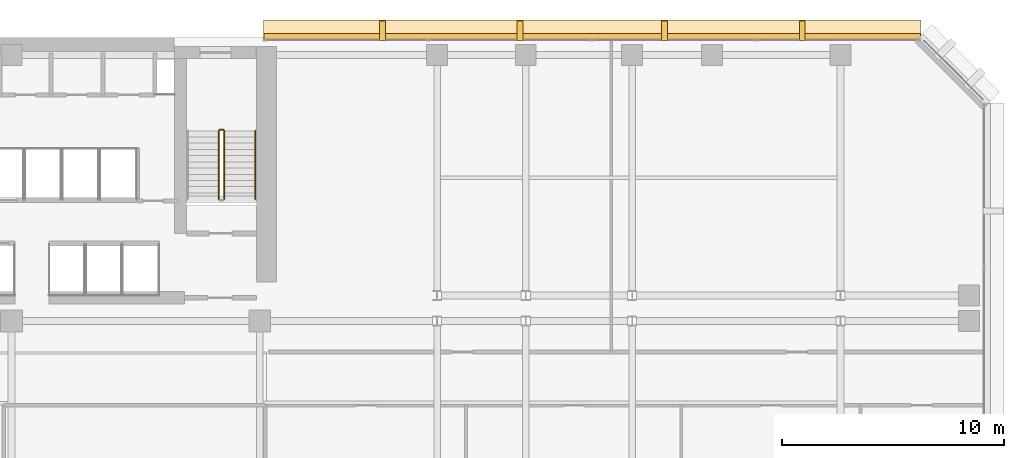
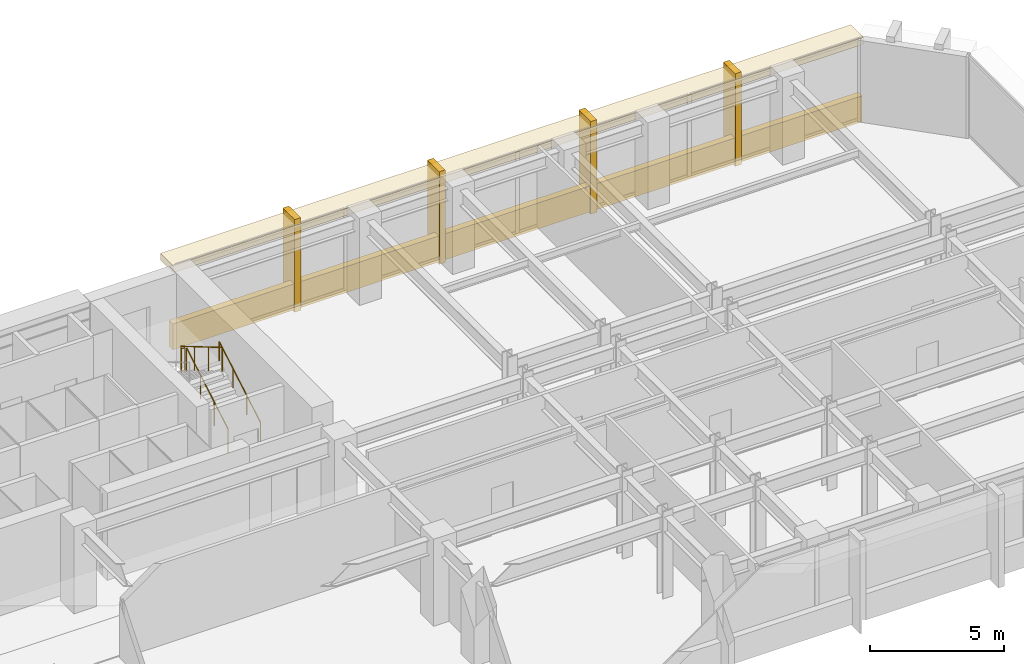
# One storey, part 12 of 13: 6 coverings, 4 railings.
"""IFC4 building model written with IfcOpenShell, lengths in metres."""

import ifcopenshell
import ifcopenshell.guid

model = None  # the IFC model being written
_history = None  # IfcOwnerHistory: only IFC2X3 demands one
_inside = {}  # id of a spatial element -> (the spatial element, [elements in it])
_under = {}  # id of a project, library or spatial element -> (it, [spatial elements below it])
_declared = {}  # id of a project -> (the project, [libraries it declares])
_typed = {}  # id of a type object -> (the type object, [elements of that type])
_made_of = {}  # id of a material, layer set ... -> (it, [elements and type objects made of it])


def new_model(schema):
    """Start an empty IFC model of exactly this schema.

    Asked for "IFC4X3", IfcOpenShell would pick the latest addendum, in which some entities
    have other attributes; the version numbers below select the first issue.
    IFC2X3 requires an IfcOwnerHistory on every rooted entity: one is made here for all.
    """
    global model, _history
    if schema == "IFC4X3":
        model = ifcopenshell.file(schema_version=(4, 3, 0, 0))
    else:
        model = ifcopenshell.file(schema=schema)
    _inside.clear()
    _under.clear()
    _declared.clear()
    _typed.clear()
    _made_of.clear()
    _history = None
    if model.schema == "IFC2X3":
        org = make("IfcOrganization", Name="unknown")
        user = make(
            "IfcPersonAndOrganization",
            ThePerson=make("IfcPerson", FamilyName="unknown"),
            TheOrganization=org,
        )
        app = make(
            "IfcApplication",
            ApplicationDeveloper=org,
            Version="unknown",
            ApplicationFullName="unknown",
            ApplicationIdentifier="unknown",
        )
        _history = make(
            "IfcOwnerHistory",
            OwningUser=user,
            OwningApplication=app,
            ChangeAction="ADDED",
            CreationDate=0,
        )
    return model


def make(cls, **values):
    """One entity of the class cls with the attributes given. An attribute that is None is left unset."""
    return model.create_entity(
        cls, **{name: value for name, value in values.items() if value is not None}
    )


def rooted(cls, **values):
    """An entity with a GlobalId (a new one), such as an element, a storey or a relation."""
    return make(cls, GlobalId=ifcopenshell.guid.new(), OwnerHistory=_history, **values)


def si_unit(unit_type, name, prefix=None):
    """IfcSIUnit, for example si_unit("LENGTHUNIT", "METRE", prefix="MILLI")."""
    return make("IfcSIUnit", UnitType=unit_type, Prefix=prefix, Name=name)


def assignment(units):
    """IfcUnitAssignment: the units of a project."""
    return None if units is None else make("IfcUnitAssignment", Units=units)


def point(xyz):
    """IfcCartesianPoint."""
    return None if xyz is None else make("IfcCartesianPoint", Coordinates=xyz)


def direction(xyz):
    """IfcDirection."""
    return None if xyz is None else make("IfcDirection", DirectionRatios=xyz)


def frame(location, z_axis=None, x_axis=None):
    """IfcAxis2Placement3D, a coordinate frame: its origin and axes. An axis left out is left unset."""
    return make(
        "IfcAxis2Placement3D",
        Location=point(location),
        Axis=direction(z_axis),
        RefDirection=direction(x_axis),
    )


def frame_2d(location, x_axis=None):
    """IfcAxis2Placement2D, a coordinate frame in the plane: its origin and x axis."""
    return make(
        "IfcAxis2Placement2D", Location=point(location), RefDirection=direction(x_axis)
    )


def origin():
    """The frame at (0, 0, 0) with its axes left unset."""
    return frame((0.0, 0.0, 0.0))


def origin_2d():
    """The frame at (0, 0) in the plane with its x axis left unset."""
    return frame_2d((0.0, 0.0))


def place(relative_to, where):
    """IfcLocalPlacement: puts the frame where relative to a parent placement (None: the world)."""
    return make(
        "IfcLocalPlacement", PlacementRelTo=relative_to, RelativePlacement=where
    )


def context(
    kind, dimensions, precision=None, world=None, true_north=None, identifier=None
):
    """IfcGeometricRepresentationContext, for example the 3D "Model" context."""
    return make(
        "IfcGeometricRepresentationContext",
        ContextIdentifier=identifier,
        ContextType=kind,
        CoordinateSpaceDimension=dimensions,
        Precision=precision,
        WorldCoordinateSystem=world,
        TrueNorth=true_north,
    )


def subcontext(parent, identifier, kind, view, scale=None):
    """IfcGeometricRepresentationSubContext, for example "Body" below "Model"."""
    return make(
        "IfcGeometricRepresentationSubContext",
        ContextIdentifier=identifier,
        ContextType=kind,
        ParentContext=parent,
        TargetScale=scale,
        TargetView=view,
    )


def project(units=None, contexts=None):
    """IfcProject with its units and contexts."""
    return rooted(
        "IfcProject",
        Name="project",
        RepresentationContexts=contexts,
        UnitsInContext=assignment(units),
    )


def spatial(cls, under=None, at=None, **own):
    """A site, building, storey or space (cls), placed at a placement, below another one or the project."""
    s = rooted(cls, ObjectPlacement=at, **own)
    if under is not None:
        _under.setdefault(under.id(), (under, []))[1].append(s)
    return s


def profile(cls, at=None, kind="AREA", **sizes):
    """A parametric profile (cls). Its sizes go by their IFC names, for example OverallWidth=200.0."""
    return make(cls, ProfileType=kind, Position=at, **sizes)


def rectangle(**sizes):
    """IfcRectangleProfileDef."""
    return profile("IfcRectangleProfileDef", **sizes)


def circle(**sizes):
    """IfcCircleProfileDef."""
    return profile("IfcCircleProfileDef", **sizes)


def extrude(swept, where, along, depth):
    """IfcExtrudedAreaSolid: the profile swept, set in the frame where, extruded along a direction by depth."""
    return make(
        "IfcExtrudedAreaSolid",
        SweptArea=swept,
        Position=where,
        ExtrudedDirection=direction(along),
        Depth=depth,
    )


def shape(context_of_items, identifier, shape_type, items):
    """IfcShapeRepresentation: the items that make up one representation, for example the "Body"."""
    return make(
        "IfcShapeRepresentation",
        ContextOfItems=context_of_items,
        RepresentationIdentifier=identifier,
        RepresentationType=shape_type,
        Items=items,
    )


def material(Name=None, Category=None):
    """IfcMaterial."""
    return make("IfcMaterial", Name=Name, Category=Category)


def layer(
    of_material, thickness, ventilated=None, Name=None, Category=None, Priority=None
):
    """IfcMaterialLayer: one layer of a wall or slab, of a material (None: an air gap)."""
    return make(
        "IfcMaterialLayer",
        Material=of_material,
        LayerThickness=thickness,
        IsVentilated=ventilated,
        Name=Name,
        Category=Category,
        Priority=Priority,
    )


def layer_set(layers, Name=None):
    """IfcMaterialLayerSet."""
    return make("IfcMaterialLayerSet", MaterialLayers=layers, LayerSetName=Name)


def made_of(thing, what):
    """Note that an element or type object is made of a material, layer set ...; save() writes the relation."""
    if what is not None:
        _made_of.setdefault(what.id(), (what, []))[1].append(thing)
    return thing


def type_object(cls, material=None, **own):
    """A type object (cls), such as IfcWallType, which elements share."""
    return made_of(rooted(cls, **own), material)


def element(
    cls,
    number,
    at=None,
    inside=None,
    cuts=None,
    type_object=None,
    material=None,
    context=None,
    identifier="Body",
    shape_type=None,
    held_by="IfcProductDefinitionShape",
    body=None,
    shapes=None,
    **own,
):
    """One element of the class cls, such as IfcWall. Its Tag is "e" and its number.

    at: its placement. inside: the storey or other place that contains it. cuts: it is an
    opening in that element (IfcRelVoidsElement). A single representation is given by context,
    identifier, shape_type and body (its items); several are given by shapes. held_by: the class
    of the entity that holds the representations. save() writes the other relations.
    """
    e = rooted(cls, Tag="e%d" % number, ObjectPlacement=at, **own)
    if body is not None:
        shapes = [shape(context, identifier, shape_type, body)]
    if shapes is not None:
        e.Representation = make(held_by, Representations=shapes)
    if inside is not None:
        _inside.setdefault(inside.id(), (inside, []))[1].append(e)
    if cuts is not None:
        rooted(
            "IfcRelVoidsElement", RelatingBuildingElement=cuts, RelatedOpeningElement=e
        )
    if type_object is not None:
        _typed.setdefault(type_object.id(), (type_object, []))[1].append(e)
    return made_of(e, material)


def aggregate(whole, parts):
    """IfcRelAggregates: a whole, such as a stair, and the parts it consists of."""
    return rooted("IfcRelAggregates", RelatingObject=whole, RelatedObjects=parts)


def save(model, path):
    """Write the relations noted so far, then the file.

    IfcRelAggregates (storeys below a building ...), IfcRelContainedInSpatialStructure (elements
    in a storey), IfcRelDefinesByType, IfcRelAssociatesMaterial and IfcRelDeclares: one each for
    every whole, place, type object, material and project.
    """
    for whole, parts in _under.values():
        aggregate(whole, parts)
    for where, things in _inside.values():
        rooted(
            "IfcRelContainedInSpatialStructure",
            RelatedElements=things,
            RelatingStructure=where,
        )
    for kind, things in _typed.values():
        rooted("IfcRelDefinesByType", RelatedObjects=things, RelatingType=kind)
    for what, things in _made_of.values():
        rooted("IfcRelAssociatesMaterial", RelatedObjects=things, RelatingMaterial=what)
    for by, libraries in _declared.values():
        rooted("IfcRelDeclares", RelatingContext=by, RelatedDefinitions=libraries)
    model.write(path)


model = new_model("IFC4")

# Units and contexts
model_context = context("Model", 3, precision=1e-05, world=origin(), true_north=direction((0.0, 1.0)))
body_context = subcontext(model_context, "Body", "Model", "MODEL_VIEW")
ifc_project = project(units=[si_unit("LENGTHUNIT", "METRE"), si_unit("AREAUNIT", "SQUARE_METRE"), si_unit("VOLUMEUNIT", "CUBIC_METRE"), si_unit("PLANEANGLEUNIT", "RADIAN"), si_unit("MASSUNIT", "GRAM", prefix="KILO")], contexts=[model_context])

# Site, building, storey
site_placement = place(None, origin())
site = spatial("IfcSite", under=ifc_project, at=site_placement, CompositionType="ELEMENT")
building_placement = place(site_placement, origin())
building = spatial("IfcBuilding", under=site, at=building_placement, Name="Kefirva Bronze Tower", CompositionType="ELEMENT")
storey_placement = place(building_placement, frame((0.0, 0.0, 102.6298828125)))
storey = spatial("IfcBuildingStorey", under=building, at=storey_placement, Name="L24", CompositionType="ELEMENT", Elevation=102.6298828125)

# Covering
ifc_material_1 = material(Name="Bronze anodised aluminium", Category="aluminium")
ifc_layer_1 = layer(ifc_material_1, 0.02001953125, Name="Bronze anodised aluminium")
ifc_layer_set_1 = layer_set([ifc_layer_1], Name="Bronze anodised aluminium")
covering_type_1 = type_object("IfcCoveringType", Name="Anodised Bronze Spandrel Cladding 20mm", PredefinedType="CLADDING", material=ifc_layer_set_1)
covering_1_placement = place(storey_placement, frame((38.202392578125, 46.0400390625, -0.15966796875), z_axis=(0.0, 0.0, 1.0), x_axis=(-1.0, 0.0, 0.0)))
element("IfcCovering", 1, at=covering_1_placement, inside=storey, type_object=covering_type_1, Name="L24 Streamline Horizontal Spandrel Band 12", PredefinedType="CLADDING", context=body_context, shape_type="SweptSolid", body=[
    extrude(rectangle(XDim=29.635009765625, YDim=0.280029296875, at=origin_2d()), origin(), (0.0, 0.0, 1.0), 1.179931640625),
])

# Railings
ifc_material_2 = material(Name="Stainless steel 316", Category="steel")
railing_type_1 = type_object("IfcRailingType", Name="Interior Stair Guardrail 1100mm", PredefinedType="GUARDRAIL", material=ifc_material_2)
railing_1_placement = place(storey_placement, frame((21.60009765625, 38.699951171875, 0.1650390625)))
element("IfcRailing", 2, at=railing_1_placement, inside=storey, type_object=railing_type_1, Name="L24 ST-2 stair guard 1", PredefinedType="GUARDRAIL", context=body_context, shape_type="SweptSolid", body=[
    extrude(circle(Radius=0.02392578125, at=origin_2d()), frame((0.0, 0.0, 1.076171875), z_axis=(0.0, 0.861521393093, 0.507721271215), x_axis=(-1.0, 0.0, 0.0)), (0.0, 0.0, 1.0), 3.5751953125),
    extrude(circle(Radius=0.02099609375, at=origin_2d()), origin(), (0.0, 0.0, 1.0), 1.052001953125),
    extrude(circle(Radius=0.02099609375, at=origin_2d()), frame((0.0, 1.026611328125, 0.60498046875)), (0.0, 0.0, 1.0), 1.052001953125),
    extrude(circle(Radius=0.02099609375, at=origin_2d()), frame((0.0, 2.053466796875, 1.210205078125)), (0.0, 0.0, 1.0), 1.052001953125),
    extrude(circle(Radius=0.02099609375, at=origin_2d()), frame((0.0, 3.080078125, 1.815185546875)), (0.0, 0.0, 1.0), 1.052001953125),
])
railing_2_placement = place(storey_placement, frame((21.550048828125, 41.830078125, 1.980224609375)))
element("IfcRailing", 3, at=railing_2_placement, inside=storey, type_object=railing_type_1, Name="L24 ST-2 stair guard 2", PredefinedType="GUARDRAIL", context=body_context, shape_type="SweptSolid", body=[
    extrude(circle(Radius=0.02392578125, at=origin_2d()), frame((0.0, 0.0, 1.076171875), z_axis=(-1.0, 0.0, 0.0), x_axis=(0.0, -1.0, 0.0)), (0.0, 0.0, 1.0), 0.150146484375),
    extrude(circle(Radius=0.02099609375, at=origin_2d()), origin(), (0.0, 0.0, 1.0), 1.052001953125),
    extrude(circle(Radius=0.02099609375, at=origin_2d()), frame((-0.150146484375, 0.0, 0.0)), (0.0, 0.0, 1.0), 1.052001953125),
])
railing_3_placement = place(storey_placement, frame((21.35009765625, 41.780029296875, 2.14501953125)))
element("IfcRailing", 4, at=railing_3_placement, inside=storey, type_object=railing_type_1, Name="L24 ST-2 stair guard 3", PredefinedType="GUARDRAIL", context=body_context, shape_type="SweptSolid", body=[
    extrude(circle(Radius=0.02392578125, at=origin_2d()), frame((0.0, 0.0, 1.076171875), z_axis=(0.0, -0.861521393093, 0.507721271215), x_axis=(1.0, 0.0, 0.0)), (0.0, 0.0, 1.0), 3.5751953125),
    extrude(circle(Radius=0.02099609375, at=origin_2d()), origin(), (0.0, 0.0, 1.0), 1.052001953125),
    extrude(circle(Radius=0.02099609375, at=origin_2d()), frame((0.0, -1.026611328125, 0.60498046875)), (0.0, 0.0, 1.0), 1.052001953125),
    extrude(circle(Radius=0.02099609375, at=origin_2d()), frame((0.0, -2.053466796875, 1.210205078125)), (0.0, 0.0, 1.0), 1.052001953125),
    extrude(circle(Radius=0.02099609375, at=origin_2d()), frame((0.0, -3.080078125, 1.815185546875)), (0.0, 0.0, 1.0), 1.052001953125),
])
railing_type_2 = type_object("IfcRailingType", Name="Stair Pitch Handrail 900mm", PredefinedType="HANDRAIL", material=ifc_material_2)
railing_4_placement = place(storey_placement, frame((23.0, 38.699951171875, 0.1650390625)))
element("IfcRailing", 5, at=railing_4_placement, inside=storey, type_object=railing_type_2, Name="L24 ST-2 stair handrail 1", PredefinedType="HANDRAIL", context=body_context, shape_type="SweptSolid", body=[
    extrude(circle(Radius=0.02392578125, at=origin_2d()), frame((0.0, 0.0, 0.8759765625), z_axis=(0.0, 0.861521393093, 0.507721271215), x_axis=(-1.0, 0.0, 0.0)), (0.0, 0.0, 1.0), 3.5751953125),
    extrude(circle(Radius=0.02099609375, at=origin_2d()), origin(), (0.0, 0.0, 1.0), 0.851806640625),
    extrude(circle(Radius=0.02099609375, at=origin_2d()), frame((0.0, 1.026611328125, 0.60498046875)), (0.0, 0.0, 1.0), 0.851806640625),
    extrude(circle(Radius=0.02099609375, at=origin_2d()), frame((0.0, 2.053466796875, 1.210205078125)), (0.0, 0.0, 1.0), 0.851806640625),
    extrude(circle(Radius=0.02099609375, at=origin_2d()), frame((0.0, 3.080078125, 1.815185546875)), (0.0, 0.0, 1.0), 0.851806640625),
])

# Coverings
ifc_layer_2 = layer(ifc_material_1, 0.179931640625, Name="Bronze anodised aluminium")
ifc_layer_set_2 = layer_set([ifc_layer_2], Name="Bronze anodised aluminium")
covering_type_2 = type_object("IfcCoveringType", Name="Streamline Bronze Sunshade Eyebrow Cladding 180mm", PredefinedType="CLADDING", material=ifc_layer_set_2)
covering_2_placement = place(storey_placement, frame((38.202392578125, 46.31005859375, 3.39013671875), z_axis=(0.0, 0.0, 1.0), x_axis=(-1.0, 0.0, 0.0)))
element("IfcCovering", 6, at=covering_2_placement, inside=storey, type_object=covering_type_2, Name="L24 Streamline Bronze Sunshade Eyebrow 12", PredefinedType="CLADDING", context=body_context, shape_type="SweptSolid", body=[
    extrude(rectangle(XDim=29.675048828125, YDim=0.93994140625, at=origin_2d()), origin(), (0.0, 0.0, 1.0), 0.320068359375),
])
ifc_layer_3 = layer(ifc_material_1, 0.260009765625, Name="Bronze anodised aluminium")
ifc_layer_set_3 = layer_set([ifc_layer_3], Name="Bronze anodised aluminium")
covering_type_3 = type_object("IfcCoveringType", Name="Unbroken Bronze Buttress Fin Cladding 260mm", PredefinedType="CLADDING", material=ifc_layer_set_3)
for number, where, z_axis, x_axis, name in (
    (7, (47.6728515625, 46.300048828125, -0.249755859375), (0.0, 0.0, 1.0), (-1.0, 0.0, 0.0), "L24 Unbroken Vertical Bronze Rib Fin 19"),
    (8, (41.4580078125, 46.300048828125, -0.249755859375), (0.0, 0.0, 1.0), (-1.0, 0.0, 0.0), "L24 Unbroken Vertical Bronze Rib Fin 20"),
    (9, (34.947021484375, 46.300048828125, -0.249755859375), (0.0, 0.0, 1.0), (-1.0, 0.0, 0.0), "L24 Unbroken Vertical Bronze Rib Fin 21"),
    (10, (28.732177734375, 46.300048828125, -0.249755859375), (0.0, 0.0, 1.0), (-1.0, 0.0, 0.0), "L24 Unbroken Vertical Bronze Rib Fin 22"),
):
    element("IfcCovering", number, at=place(storey_placement, frame(where, z_axis=z_axis, x_axis=x_axis)), inside=storey, type_object=covering_type_3, Name=name, PredefinedType="CLADDING", context=body_context, shape_type="SweptSolid", body=[
        extrude(rectangle(XDim=0.260009765625, YDim=0.8798828125, at=origin_2d()), origin(), (0.0, 0.0, 1.0), 4.2099609375),
    ])

save(model, "model.ifc")
